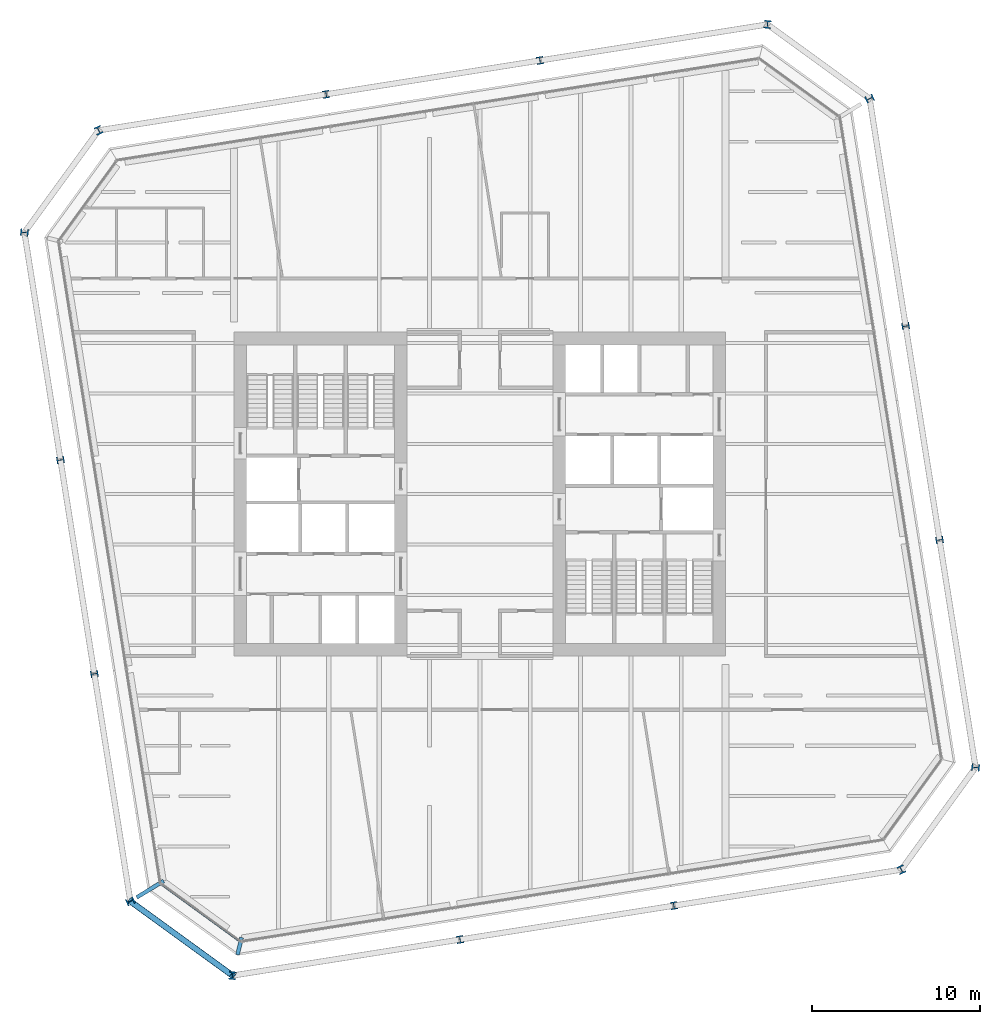
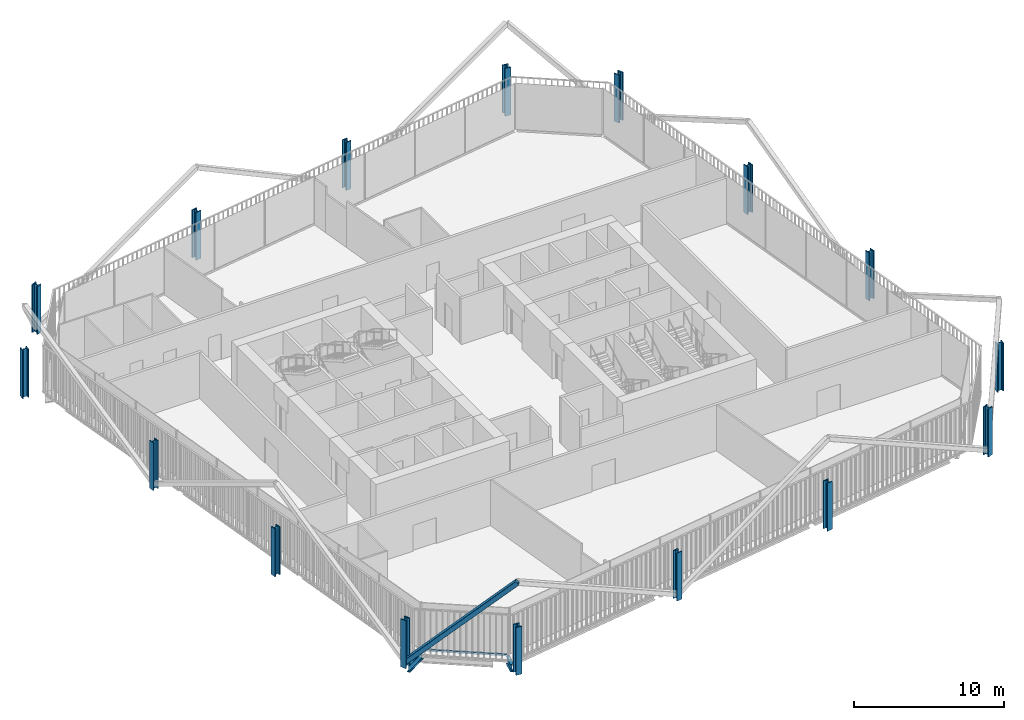
# One storey, part 1 of 19: 16 columns, 2 beams, 2 members, 1 element without a shape of its own.
"""IFC4 building model written with IfcOpenShell, lengths in metres."""

from ifc_helpers import new_model, si_unit, direction, frame, origin, origin_2d, place, context, subcontext, project, spatial, rectangle, hollow_rectangle, i_section, extrude, material, layer, layer_set, material_profile, profile_set, type_object, element, aggregate, save


model = new_model("IFC4")

# Units and contexts
model_context = context("Model", 3, precision=1e-05, world=origin(), true_north=direction((0.0, 1.0)))
body_context = subcontext(model_context, "Body", "Model", "MODEL_VIEW")
ifc_project = project(units=[si_unit("LENGTHUNIT", "METRE"), si_unit("AREAUNIT", "SQUARE_METRE"), si_unit("VOLUMEUNIT", "CUBIC_METRE"), si_unit("PLANEANGLEUNIT", "RADIAN"), si_unit("MASSUNIT", "GRAM", prefix="KILO")], contexts=[model_context])

# Site, building, storey
site_placement = place(None, origin())
site = spatial("IfcSite", under=ifc_project, at=site_placement, CompositionType="ELEMENT")
building_placement = place(site_placement, origin())
building = spatial("IfcBuilding", under=site, at=building_placement, Name="Millrace Tower", CompositionType="ELEMENT")
storey_placement = place(building_placement, frame((0.0, 0.0, 129.5)))
storey = spatial("IfcBuildingStorey", under=building, at=storey_placement, Name="L28", CompositionType="ELEMENT", Elevation=129.5)

# Columns
ifc_material_1 = material(Name="Steel ASTM A913 Grade 65", Category="steel")
ifc_material_profile_1 = material_profile(ifc_material_1, i_section(OverallWidth=0.419189453125, OverallDepth=0.45458984375, WebThickness=0.042236328125, FlangeThickness=0.067626953125, FilletRadius=0.01513671875, at=origin_2d()))
ifc_profile_set_1 = profile_set([ifc_material_profile_1], Name="Steel ASTM A913 Grade 65")
column_type_1 = type_object("IfcColumnType", Name="Exoskeleton column W14x370", PredefinedType="COLUMN", material=ifc_profile_set_1)
for number, where, z_axis, x_axis, name in (
    (1, (-1.181396484375, -26.545166015625, 0.0), (0.0, 0.0, 1.0), (0.987688339156, 0.156434474125, 0.0), "COL-C-L28-X03"),
    (2, (11.5595703125, -24.527099609375, 0.0), (0.0, 0.0, 1.0), (0.987688338239, 0.156434479917, 0.0), "COL-C-L28-X04"),
    (3, (27.39501953125, -2.7314453125, 0.0), (0.0, 0.0, 1.0), (-0.156434474125, 0.987688339156, 0.0), "COL-C-L28-X07"),
    (4, (25.376953125, 10.009765625, 0.0), (0.0, 0.0, 1.0), (-0.156434479917, 0.987688338239, 0.0), "COL-C-L28-X08"),
    (5, (3.58154296875, 25.844970703125, 0.0), (0.0, 0.0, 1.0), (-0.987688339156, -0.156434474125, 0.0), "COL-C-L28-X11"),
    (6, (-9.15966796875, 23.8271484375, 0.0), (0.0, 0.0, 1.0), (-0.987688338239, -0.156434479917, 0.0), "COL-C-L28-X12"),
    (7, (-24.9951171875, 2.031494140625, 0.0), (0.0, 0.0, 1.0), (0.156434474125, -0.987688339156, 0.0), "COL-C-L28-X15"),
    (8, (-22.97705078125, -10.709716796875, 0.0), (0.0, 0.0, 1.0), (0.156434479917, -0.987688338239, 0.0), "COL-C-L28-X16"),
):
    element("IfcColumn", number, at=place(storey_placement, frame(where, z_axis=z_axis, x_axis=x_axis)), inside=storey, type_object=column_type_1, Name=name, PredefinedType="COLUMN", context=body_context, shape_type="SweptSolid", body=[
        extrude(i_section(OverallWidth=0.419189453125, OverallDepth=0.45458984375, WebThickness=0.042236328125, FlangeThickness=0.067626953125, FilletRadius=0.01513671875, at=origin_2d()), origin(), (0.0, 0.0, 1.0), 3.89990234375),
    ])
ifc_material_2 = material(Name="Steel ASTM A913 Grade 65", Category="steel")
ifc_material_profile_2 = material_profile(ifc_material_2, i_section(OverallWidth=0.4267578125, OverallDepth=0.482666015625, WebThickness=0.05126953125, FlangeThickness=0.08154296875, FilletRadius=0.01513671875, at=origin_2d()))
ifc_profile_set_2 = profile_set([ifc_material_profile_2], Name="Steel ASTM A913 Grade 65")
column_type_2 = type_object("IfcColumnType", Name="Exoskeleton column W14x455", PredefinedType="COLUMN", material=ifc_profile_set_2)
for number, where, z_axis, x_axis, name in (
    (9, (-20.829345703125, -24.26904296875, 0.0), (0.0, 0.0, 1.0), (0.416401106568, -0.909181015227, 0.0), "COL-C-L28-X01"),
    (10, (-14.740966796875, -28.692626953125, 0.0), (0.0, 0.0, 1.0), (0.993357548409, -0.115068592665, 0.0), "COL-C-L28-X02"),
    (11, (25.119140625, -22.37939453125, 0.0), (0.0, 0.0, 1.0), (0.909181015227, 0.416401106568, 0.0), "COL-C-L28-X05"),
    (12, (29.542724609375, -16.291015625, 0.0), (0.0, 0.0, 1.0), (0.115068592665, 0.993357548409, 0.0), "COL-C-L28-X06"),
    (13, (23.2294921875, 23.569091796875, 0.0), (0.0, 0.0, 1.0), (-0.416401106568, 0.909181015227, 0.0), "COL-C-L28-X09"),
    (14, (17.140869140625, 27.99267578125, 0.0), (0.0, 0.0, 1.0), (-0.993357548409, 0.115068592665, 0.0), "COL-C-L28-X10"),
    (15, (-22.718994140625, 21.679443359375, 0.0), (0.0, 0.0, 1.0), (-0.909181015227, -0.416401106568, 0.0), "COL-C-L28-X13"),
    (16, (-27.142578125, 15.5908203125, 0.0), (0.0, 0.0, 1.0), (-0.115068592665, -0.993357548409, 0.0), "COL-C-L28-X14"),
):
    element("IfcColumn", number, at=place(storey_placement, frame(where, z_axis=z_axis, x_axis=x_axis)), inside=storey, type_object=column_type_2, Name=name, PredefinedType="COLUMN", context=body_context, shape_type="SweptSolid", body=[
        extrude(i_section(OverallWidth=0.4267578125, OverallDepth=0.482666015625, WebThickness=0.05126953125, FlangeThickness=0.08154296875, FilletRadius=0.01513671875, at=origin_2d()), origin(), (0.0, 0.0, 1.0), 3.89990234375),
    ])

# Curtain wall, member
ifc_material_3 = material(Name="Aluminium and glass", Category="aluminium")
ifc_layer = layer(ifc_material_3, 0.14990234375)
ifc_layer_set = layer_set([ifc_layer], Name="Aluminium and glass")
curtain_wall_type = type_object("IfcCurtainWallType", Name="CW-1 office vision curtain wall", PredefinedType="NOTDEFINED", material=ifc_layer_set)
curtain_wall_placement = place(storey_placement, origin())
curtain_wall = element("IfcCurtainWall", 17, at=curtain_wall_placement, inside=storey, type_object=curtain_wall_type, Name="Curtain wall C-F01 L28", PredefinedType="NOTDEFINED")
ifc_material_4 = material(Name="Aluminium", Category="aluminium")
ifc_material_profile_3 = material_profile(ifc_material_4, rectangle(XDim=0.14990234375, YDim=0.139892578125, at=origin_2d()))
ifc_profile_set_3 = profile_set([ifc_material_profile_3], Name="Aluminium")
member_type_1 = type_object("IfcMemberType", Name="CW-1 office vision curtain wall transom", PredefinedType="USERDEFINED", material=ifc_profile_set_3)
member_1_placement = place(storey_placement, frame((-18.94677734375, -23.25732421875, 0.070068359375), z_axis=(0.808998591139, -0.587810581339, 0.0), x_axis=(0.587810581339, 0.808998591139, 0.0)))
member_1 = element("IfcMember", 18, at=member_1_placement, type_object=member_type_1, Name="CW1 transom C-F01.1", ObjectType="TRANSOM", PredefinedType="USERDEFINED", context=body_context, shape_type="SweptSolid", body=[
    extrude(rectangle(XDim=0.14990234375, YDim=0.139892578125, at=origin_2d()), origin(), (0.0, 0.0, 1.0), 5.6689453125),
])
aggregate(curtain_wall, [member_1])

# Member
ifc_material_5 = material(Name="Steel ASTM A500 Grade C", Category="steel")
ifc_material_profile_4 = material_profile(ifc_material_5, hollow_rectangle(XDim=0.355712890625, YDim=0.355712890625, WallThickness=0.015869140625, InnerFilletRadius=0.008056640625, OuterFilletRadius=0.02392578125, at=origin_2d()))
ifc_profile_set_4 = profile_set([ifc_material_profile_4], Name="Steel ASTM A500 Grade C")
member_type_2 = type_object("IfcMemberType", Name="Exoskeleton brace HSS14x14x5/8", PredefinedType="BRACE", material=ifc_profile_set_4)
member_2_placement = place(storey_placement, frame((-20.829345703125, -24.26904296875, 0.39990234375), z_axis=(0.592372334541, -0.430395153162, 0.681069034243), x_axis=(0.587795495726, 0.809009551985, 0.0)))
element("IfcMember", 19, at=member_2_placement, inside=storey, type_object=member_type_2, Name="BRC-C-L28-01", PredefinedType="BRACE", context=body_context, shape_type="SweptSolid", body=[
    extrude(hollow_rectangle(XDim=0.355712890625, YDim=0.355712890625, WallThickness=0.015869140625, InnerFilletRadius=0.008056640625, OuterFilletRadius=0.02392578125, at=origin_2d()), origin(), (0.0, 0.0, 1.0), 10.278076171875),
])

# Beams
ifc_material_6 = material(Name="Steel ASTM A992 Grade 50", Category="steel")
ifc_material_profile_5 = material_profile(ifc_material_6, i_section(OverallWidth=0.23046875, OverallDepth=0.6171875, WebThickness=0.01318359375, FlangeThickness=0.022216796875, FilletRadius=0.012939453125, at=origin_2d()))
ifc_profile_set_5 = profile_set([ifc_material_profile_5], Name="Steel ASTM A992 Grade 50")
beam_type = type_object("IfcBeamType", Name="Link beam W24x94", PredefinedType="BEAM", material=ifc_profile_set_5)
beam_1_placement = place(storey_placement, frame((-18.841796875, -23.051025390625, -0.468505859375), z_axis=(-0.852644064347, -0.522492200452, 0.0), x_axis=(0.522492200452, -0.852644064347, 0.0)))
element("IfcBeam", 20, at=beam_1_placement, inside=storey, type_object=beam_type, Name="LNK-C-L28-S1-01", PredefinedType="BEAM", context=body_context, shape_type="SweptSolid", body=[
    extrude(i_section(OverallWidth=0.23046875, OverallDepth=0.6171875, WebThickness=0.01318359375, FlangeThickness=0.022216796875, FilletRadius=0.012939453125, at=origin_2d()), origin(), (0.0, 0.0, 1.0), 1.885009765625),
])
beam_2_placement = place(storey_placement, frame((-14.19677734375, -26.426025390625, -0.468505859375), z_axis=(-0.23336418764, -0.972389405499, 0.0), x_axis=(0.972389405499, -0.23336418764, 0.0)))
element("IfcBeam", 21, at=beam_2_placement, inside=storey, type_object=beam_type, Name="LNK-C-L28-S1-16", PredefinedType="BEAM", context=body_context, shape_type="SweptSolid", body=[
    extrude(i_section(OverallWidth=0.23046875, OverallDepth=0.6171875, WebThickness=0.01318359375, FlangeThickness=0.022216796875, FilletRadius=0.012939453125, at=origin_2d()), origin(), (0.0, 0.0, 1.0), 1.053466796875),
])

save(model, "model.ifc")
